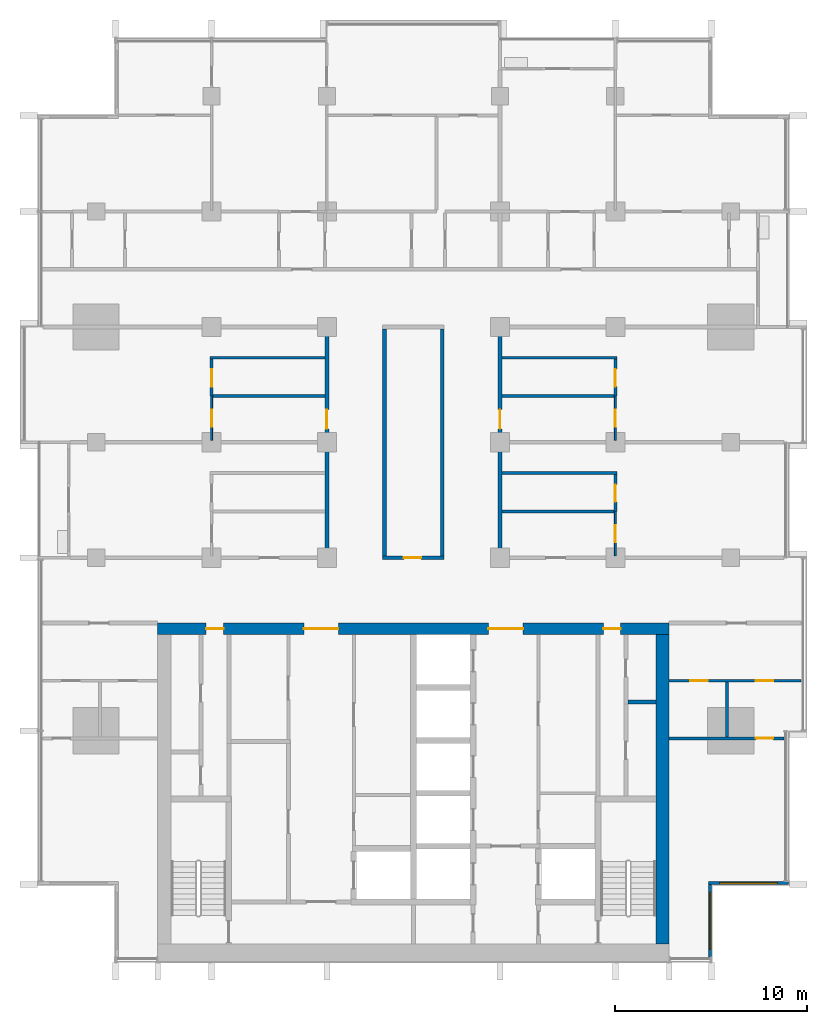
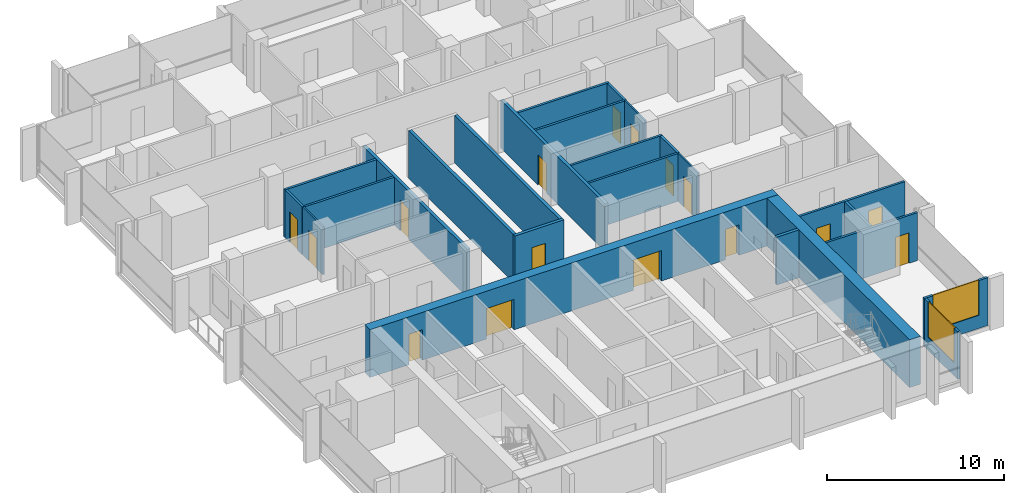
# One storey, part 9 of 16: 25 walls, 16 doors, 2 windows, 18 openings.
"""IFC4 building model written with IfcOpenShell, lengths in metres."""

from ifc_helpers import new_model, si_unit, direction, frame, frame_2d, origin, place, context, subcontext, project, spatial, rectangle, extrude, material, layer, layer_set, type_object, element, fill, save


model = new_model("IFC4")

# Units and contexts
model_context = context("Model", 3, precision=1e-05, world=origin(), true_north=direction((0.0, 1.0)))
body_context = subcontext(model_context, "Body", "Model", "MODEL_VIEW")
ifc_project = project(units=[si_unit("LENGTHUNIT", "METRE"), si_unit("AREAUNIT", "SQUARE_METRE"), si_unit("VOLUMEUNIT", "CUBIC_METRE"), si_unit("PLANEANGLEUNIT", "RADIAN"), si_unit("MASSUNIT", "GRAM", prefix="KILO")], contexts=[model_context])

# Site, building, storey
site_placement = place(None, origin())
site = spatial("IfcSite", under=ifc_project, at=site_placement, CompositionType="ELEMENT")
building_placement = place(site_placement, origin())
building = spatial("IfcBuilding", under=site, at=building_placement, Name="Finial Court Residences", CompositionType="ELEMENT")
storey_placement = place(building_placement, frame((0.0, 0.0, 178.10009765625)))
storey = spatial("IfcBuildingStorey", under=building, at=storey_placement, Name="L44", CompositionType="ELEMENT", Elevation=178.10009765625)

# Wall, openings, doors
ifc_material_1 = material(Name="Concrete C70/85", Category="concrete")
ifc_layer_1 = layer(ifc_material_1, 0.60009765625)
ifc_layer_set_1 = layer_set([ifc_layer_1], Name="Core outer wall 600 Concrete C70/85")
wall_type_1 = type_object("IfcWallType", Name="Core outer wall 600 Concrete C70/85", PredefinedType="SHEAR", material=ifc_layer_set_1)
wall_1_placement = place(storey_placement, frame((-13.300048828125, -8.199951171875, 0.0), z_axis=(0.0, 0.0, 1.0), x_axis=(1.0, 0.0, 0.0)))
wall_1 = element("IfcWall", 1, at=wall_1_placement, inside=storey, type_object=wall_type_1, Name="Core outer wall L44-02", PredefinedType="SHEAR", context=body_context, shape_type="SweptSolid", body=[
    extrude(rectangle(XDim=26.60009765625, YDim=0.60009765625, at=frame_2d((13.300048828125, 0.0))), origin(), (0.0, 0.0, 1.0), 3.2998046875),
])
opening_1_placement = place(wall_1_placement, frame((7.60009765625, 0.0, 0.0)))
opening_1 = element("IfcOpeningElement", 2, at=opening_1_placement, cuts=wall_1, Name="Opening L44-C04", PredefinedType="OPENING", context=body_context, shape_type="SweptSolid", body=[
    extrude(rectangle(XDim=1.800048828125, YDim=2.10009765625, at=frame_2d((0.89990234375, 1.050048828125))), frame((0.0, 0.31005859375, 0.0), z_axis=(0.0, -1.0, 0.0), x_axis=(1.0, 0.0, 0.0)), (0.0, 0.0, 1.0), 0.6201171875),
])
opening_2_placement = place(wall_1_placement, frame((17.199951171875, 0.0, 0.0)))
opening_2 = element("IfcOpeningElement", 3, at=opening_2_placement, cuts=wall_1, Name="Opening L44-C05", PredefinedType="OPENING", context=body_context, shape_type="SweptSolid", body=[
    extrude(rectangle(XDim=1.800048828125, YDim=2.10009765625, at=frame_2d((0.89990234375, 1.050048828125))), frame((0.0, 0.31005859375, 0.0), z_axis=(0.0, -1.0, 0.0), x_axis=(1.0, 0.0, 0.0)), (0.0, 0.0, 1.0), 0.6201171875),
])
opening_3_placement = place(wall_1_placement, frame((2.52490234375, 0.0, 0.0)))
opening_3 = element("IfcOpeningElement", 4, at=opening_3_placement, cuts=wall_1, Name="Opening L44-C10", PredefinedType="OPENING", context=body_context, shape_type="SweptSolid", body=[
    extrude(rectangle(XDim=0.89990234375, YDim=2.10009765625, at=frame_2d((0.449951171875, 1.050048828125))), frame((0.0, 0.31005859375, 0.0), z_axis=(0.0, -1.0, 0.0), x_axis=(1.0, 0.0, 0.0)), (0.0, 0.0, 1.0), 0.6201171875),
])
opening_4_placement = place(wall_1_placement, frame((23.175048828125, 0.0, 0.0)))
opening_4 = element("IfcOpeningElement", 5, at=opening_4_placement, cuts=wall_1, Name="Opening L44-C11", PredefinedType="OPENING", context=body_context, shape_type="SweptSolid", body=[
    extrude(rectangle(XDim=0.89990234375, YDim=2.10009765625, at=frame_2d((0.449951171875, 1.050048828125))), frame((0.0, 0.31005859375, 0.0), z_axis=(0.0, -1.0, 0.0), x_axis=(1.0, 0.0, 0.0)), (0.0, 0.0, 1.0), 0.6201171875),
])
ifc_material_2 = material(Name="Steel fire door", Category="steel")
door_type_1 = type_object("IfcDoorType", Name="Lift lobby door 1800 x 2100 EI 60", OperationType="DOUBLE_DOOR_SINGLE_SWING", PredefinedType="DOOR", material=ifc_material_2)
door_1_placement = place(opening_1_placement, origin())
door_1 = element("IfcDoor", 6, at=door_1_placement, inside=storey, type_object=door_type_1, Name="Lift lobby door L44-C04", OperationType="DOUBLE_DOOR_SINGLE_SWING", OverallHeight=2.10009765625, OverallWidth=1.800048828125, PredefinedType="DOOR", context=body_context, shape_type="SweptSolid", body=[
    extrude(rectangle(XDim=1.800048828125, YDim=2.10009765625, at=frame_2d((0.89990234375, 1.050048828125))), frame((0.0, 0.02490234375, 0.0), z_axis=(0.0, -1.0, 0.0), x_axis=(1.0, 0.0, 0.0)), (0.0, 0.0, 1.0), 0.050048828125),
])
fill(opening_1, door_1)
door_2_placement = place(opening_2_placement, origin())
door_2 = element("IfcDoor", 7, at=door_2_placement, inside=storey, type_object=door_type_1, Name="Lift lobby door L44-C05", OperationType="DOUBLE_DOOR_SINGLE_SWING", OverallHeight=2.10009765625, OverallWidth=1.800048828125, PredefinedType="DOOR", context=body_context, shape_type="SweptSolid", body=[
    extrude(rectangle(XDim=1.800048828125, YDim=2.10009765625, at=frame_2d((0.89990234375, 1.050048828125))), frame((0.0, 0.02490234375, 0.0), z_axis=(0.0, -1.0, 0.0), x_axis=(1.0, 0.0, 0.0)), (0.0, 0.0, 1.0), 0.050048828125),
])
fill(opening_2, door_2)
door_type_2 = type_object("IfcDoorType", Name="Riser room door 900 x 2100 EI 90", OperationType="NOTDEFINED", PredefinedType="DOOR", material=ifc_material_2)
door_3_placement = place(opening_3_placement, origin())
door_3 = element("IfcDoor", 8, at=door_3_placement, inside=storey, type_object=door_type_2, Name="Riser room door L44-C10", OperationType="SINGLE_SWING_RIGHT", OverallHeight=2.10009765625, OverallWidth=0.89990234375, PredefinedType="DOOR", context=body_context, shape_type="SweptSolid", body=[
    extrude(rectangle(XDim=0.89990234375, YDim=2.10009765625, at=frame_2d((0.449951171875, 1.050048828125))), frame((0.0, 0.02490234375, 0.0), z_axis=(0.0, -1.0, 0.0), x_axis=(1.0, 0.0, 0.0)), (0.0, 0.0, 1.0), 0.050048828125),
])
fill(opening_3, door_3)
door_4_placement = place(opening_4_placement, origin())
door_4 = element("IfcDoor", 9, at=door_4_placement, inside=storey, type_object=door_type_2, Name="Riser room door L44-C11", OperationType="SINGLE_SWING_LEFT", OverallHeight=2.10009765625, OverallWidth=0.89990234375, PredefinedType="DOOR", context=body_context, shape_type="SweptSolid", body=[
    extrude(rectangle(XDim=0.89990234375, YDim=2.10009765625, at=frame_2d((0.449951171875, 1.050048828125))), frame((0.0, 0.02490234375, 0.0), z_axis=(0.0, -1.0, 0.0), x_axis=(1.0, 0.0, 0.0)), (0.0, 0.0, 1.0), 0.050048828125),
])
fill(opening_4, door_4)

# Wall
ifc_layer_2 = layer(ifc_material_1, 0.699951171875)
ifc_layer_set_2 = layer_set([ifc_layer_2], Name="Core outer wall 700 Concrete C70/85")
wall_type_2 = type_object("IfcWallType", Name="Core outer wall 700 Concrete C70/85", PredefinedType="SHEAR", material=ifc_layer_set_2)
wall_2_placement = place(storey_placement, frame((12.949951171875, -24.60009765625, 0.0), z_axis=(0.0, 0.0, 1.0), x_axis=(0.0, 1.0, 0.0)))
element("IfcWall", 10, at=wall_2_placement, inside=storey, type_object=wall_type_2, Name="Core outer wall L44-04", PredefinedType="SHEAR", context=body_context, shape_type="SweptSolid", body=[
    extrude(rectangle(XDim=16.10009765625, YDim=0.699951171875, at=frame_2d((8.050048828125, 0.0))), origin(), (0.0, 0.0, 1.0), 3.2998046875),
])

# Wall, opening, door
ifc_material_3 = material(Name="Gypsum board")
ifc_layer_3 = layer(ifc_material_3, 0.02490234375)
ifc_material_4 = material(Name="Acoustic mineral wool in double frame")
ifc_layer_4 = layer(ifc_material_4, 0.14990234375)
ifc_layer_5 = layer(ifc_material_3, 0.02490234375)
ifc_layer_set_3 = layer_set([ifc_layer_3, ifc_layer_4, ifc_layer_5], Name="Corridor wall 200, 1 hour")
wall_type_3 = type_object("IfcWallType", Name="Corridor wall 200, 1 hour", PredefinedType="PARTITIONING", material=ifc_layer_set_3)
wall_3_placement = place(storey_placement, frame((-1.60009765625, -4.5, 0.0), z_axis=(0.0, 0.0, 1.0), x_axis=(1.0, 0.0, 0.0)))
wall_3 = element("IfcWall", 11, at=wall_3_placement, inside=storey, type_object=wall_type_3, Name="Partition L44-007", PredefinedType="PARTITIONING", context=body_context, shape_type="SweptSolid", body=[
    extrude(rectangle(XDim=3.2001953125, YDim=0.199951171875, at=frame_2d((1.60009765625, 0.0))), origin(), (0.0, 0.0, 1.0), 3.2998046875),
])
opening_5_placement = place(wall_3_placement, frame((1.10009765625, 0.0, 0.0)))
opening_5 = element("IfcOpeningElement", 12, at=opening_5_placement, cuts=wall_3, Name="Opening L44-D010", PredefinedType="OPENING", context=body_context, shape_type="SweptSolid", body=[
    extrude(rectangle(XDim=0.89990234375, YDim=2.10009765625, at=frame_2d((0.449951171875, 1.050048828125))), frame((0.0, 0.10986328125, 0.0), z_axis=(0.0, -1.0, 0.0), x_axis=(1.0, 0.0, 0.0)), (0.0, 0.0, 1.0), 0.219970703125),
])
ifc_material_5 = material(Name="Timber door leaf in hollow metal frame", Category="wood")
door_type_3 = type_object("IfcDoorType", Name="Fire door set 900 x 2100, 30 minutes", OperationType="SINGLE_SWING_LEFT", PredefinedType="DOOR", material=ifc_material_5)
door_5_placement = place(opening_5_placement, origin())
door_5 = element("IfcDoor", 13, at=door_5_placement, inside=storey, type_object=door_type_3, Name="Door L44-D010", OperationType="SINGLE_SWING_RIGHT", OverallHeight=2.10009765625, OverallWidth=0.89990234375, PredefinedType="DOOR", context=body_context, shape_type="SweptSolid", body=[
    extrude(rectangle(XDim=0.89990234375, YDim=2.10009765625, at=frame_2d((0.449951171875, 1.050048828125))), frame((0.0, 0.02490234375, 0.0), z_axis=(0.0, -1.0, 0.0), x_axis=(1.0, 0.0, 0.0)), (0.0, 0.0, 1.0), 0.050048828125),
])
fill(opening_5, door_5)

wall_4_placement = place(storey_placement, frame((-4.5, -4.39990234375, 0.0), z_axis=(0.0, 0.0, 1.0), x_axis=(0.0, 1.0, 0.0)))
wall_4 = element("IfcWall", 14, at=wall_4_placement, inside=storey, type_object=wall_type_3, Name="Partition L44-044", PredefinedType="PARTITIONING", context=body_context, shape_type="SweptSolid", body=[
    extrude(rectangle(XDim=11.7998046875, YDim=0.199951171875, at=frame_2d((5.89990234375, 0.0))), origin(), (0.0, 0.0, 1.0), 3.2998046875),
])
opening_6_placement = place(wall_4_placement, frame((6.60009765625, 0.0, 0.0)))
opening_6 = element("IfcOpeningElement", 15, at=opening_6_placement, cuts=wall_4, Name="Opening L44-D030", PredefinedType="OPENING", context=body_context, shape_type="SweptSolid", body=[
    extrude(rectangle(XDim=1.0, YDim=2.10009765625, at=frame_2d((0.5, 1.050048828125))), frame((0.0, 0.10986328125, 0.0), z_axis=(0.0, -1.0, 0.0), x_axis=(1.0, 0.0, 0.0)), (0.0, 0.0, 1.0), 0.219970703125),
])
door_type_4 = type_object("IfcDoorType", Name="Fire door set 1000 x 2100, 30 minutes", OperationType="SINGLE_SWING_LEFT", PredefinedType="DOOR", material=ifc_material_5)
door_6_placement = place(opening_6_placement, origin())
door_6 = element("IfcDoor", 16, at=door_6_placement, inside=storey, type_object=door_type_4, Name="Door L44-D030", OperationType="SINGLE_SWING_LEFT", OverallHeight=2.10009765625, OverallWidth=1.0, PredefinedType="DOOR", context=body_context, shape_type="SweptSolid", body=[
    extrude(rectangle(XDim=1.0, YDim=2.10009765625, at=frame_2d((0.5, 1.050048828125))), frame((0.0, 0.02490234375, 0.0), z_axis=(0.0, -1.0, 0.0), x_axis=(1.0, 0.0, 0.0)), (0.0, 0.0, 1.0), 0.050048828125),
])
fill(opening_6, door_6)

# Walls
for number, where, z_axis, x_axis, name in (
    (17, (-1.5, -4.39990234375, 0.0), (0.0, 0.0, 1.0), (0.0, 1.0, 0.0), "Partition L44-046"),
    (18, (1.5, -4.39990234375, 0.0), (0.0, 0.0, 1.0), (0.0, 1.0, 0.0), "Partition L44-049"),
):
    element("IfcWall", number, at=place(storey_placement, frame(where, z_axis=z_axis, x_axis=x_axis)), inside=storey, type_object=wall_type_3, Name=name, PredefinedType="PARTITIONING", context=body_context, shape_type="SweptSolid", body=[
        extrude(rectangle(XDim=11.7998046875, YDim=0.199951171875, at=frame_2d((5.89990234375, 0.0))), origin(), (0.0, 0.0, 1.0), 3.2998046875),
    ])

# Wall, opening, door
wall_5_placement = place(storey_placement, frame((4.5, -4.39990234375, 0.0), z_axis=(0.0, 0.0, 1.0), x_axis=(0.0, 1.0, 0.0)))
wall_5 = element("IfcWall", 19, at=wall_5_placement, inside=storey, type_object=wall_type_3, Name="Partition L44-051", PredefinedType="PARTITIONING", context=body_context, shape_type="SweptSolid", body=[
    extrude(rectangle(XDim=11.7998046875, YDim=0.199951171875, at=frame_2d((5.89990234375, 0.0))), origin(), (0.0, 0.0, 1.0), 3.2998046875),
])
opening_7_placement = place(wall_5_placement, frame((6.60009765625, 0.0, 0.0)))
opening_7 = element("IfcOpeningElement", 20, at=opening_7_placement, cuts=wall_5, Name="Opening L44-D034", PredefinedType="OPENING", context=body_context, shape_type="SweptSolid", body=[
    extrude(rectangle(XDim=1.0, YDim=2.10009765625, at=frame_2d((0.5, 1.050048828125))), frame((0.0, 0.10986328125, 0.0), z_axis=(0.0, -1.0, 0.0), x_axis=(1.0, 0.0, 0.0)), (0.0, 0.0, 1.0), 0.219970703125),
])
door_7_placement = place(opening_7_placement, origin())
door_7 = element("IfcDoor", 21, at=door_7_placement, inside=storey, type_object=door_type_4, Name="Door L44-D034", OperationType="SINGLE_SWING_RIGHT", OverallHeight=2.10009765625, OverallWidth=1.0, PredefinedType="DOOR", context=body_context, shape_type="SweptSolid", body=[
    extrude(rectangle(XDim=1.0, YDim=2.10009765625, at=frame_2d((0.5, 1.050048828125))), frame((0.0, 0.02490234375, 0.0), z_axis=(0.0, -1.0, 0.0), x_axis=(1.0, 0.0, 0.0)), (0.0, 0.0, 1.0), 0.050048828125),
])
fill(opening_7, door_7)

ifc_layer_6 = layer(ifc_material_3, 0.012451171875)
ifc_material_6 = material(Name="Mineral wool in light-gauge frame")
ifc_layer_7 = layer(ifc_material_6, 0.074951171875)
ifc_layer_8 = layer(ifc_material_3, 0.012451171875)
ifc_layer_set_4 = layer_set([ifc_layer_6, ifc_layer_7, ifc_layer_8], Name="Gypsum board partition 100")
wall_type_4 = type_object("IfcWallType", Name="Gypsum board partition 100", PredefinedType="PARTITIONING", material=ifc_layer_set_4)
wall_6_placement = place(storey_placement, frame((-10.5, 1.60009765625, 0.0), z_axis=(0.0, 0.0, 1.0), x_axis=(0.0, 1.0, 0.0)))
wall_6 = element("IfcWall", 22, at=wall_6_placement, inside=storey, type_object=wall_type_4, Name="Partition L44-038", PredefinedType="PARTITIONING", context=body_context, shape_type="SweptSolid", body=[
    extrude(rectangle(XDim=2.2998046875, YDim=0.10009765625, at=frame_2d((1.14990234375, 0.0))), origin(), (0.0, 0.0, 1.0), 3.2998046875),
])
opening_8_placement = place(wall_6_placement, frame((0.699951171875, 0.0, 0.0)))
opening_8 = element("IfcOpeningElement", 23, at=opening_8_placement, cuts=wall_6, Name="Opening L44-D024", PredefinedType="OPENING", context=body_context, shape_type="SweptSolid", body=[
    extrude(rectangle(XDim=0.89990234375, YDim=2.10009765625, at=frame_2d((0.449951171875, 1.050048828125))), frame((0.0, 0.06005859375, 0.0), z_axis=(0.0, -1.0, 0.0), x_axis=(1.0, 0.0, 0.0)), (0.0, 0.0, 1.0), 0.1201171875),
])
ifc_material_7 = material(Name="Timber door leaf in timber frame", Category="wood")
door_type_5 = type_object("IfcDoorType", Name="Door set 900 x 2100", OperationType="SINGLE_SWING_LEFT", PredefinedType="DOOR", material=ifc_material_7)
door_8_placement = place(opening_8_placement, origin())
door_8 = element("IfcDoor", 24, at=door_8_placement, inside=storey, type_object=door_type_5, Name="Door L44-D024", OperationType="SINGLE_SWING_RIGHT", OverallHeight=2.10009765625, OverallWidth=0.89990234375, PredefinedType="DOOR", context=body_context, shape_type="SweptSolid", body=[
    extrude(rectangle(XDim=0.89990234375, YDim=2.10009765625, at=frame_2d((0.449951171875, 1.050048828125))), frame((0.0, 0.02490234375, 0.0), z_axis=(0.0, -1.0, 0.0), x_axis=(1.0, 0.0, 0.0)), (0.0, 0.0, 1.0), 0.050048828125),
])
fill(opening_8, door_8)

wall_7_placement = place(storey_placement, frame((10.5, -4.39990234375, 0.0), z_axis=(0.0, 0.0, 1.0), x_axis=(0.0, 1.0, 0.0)))
wall_7 = element("IfcWall", 25, at=wall_7_placement, inside=storey, type_object=wall_type_4, Name="Partition L44-056", PredefinedType="PARTITIONING", context=body_context, shape_type="SweptSolid", body=[
    extrude(rectangle(XDim=2.2998046875, YDim=0.10009765625, at=frame_2d((1.14990234375, 0.0))), origin(), (0.0, 0.0, 1.0), 3.2998046875),
])
opening_9_placement = place(wall_7_placement, frame((0.699951171875, 0.0, 0.0)))
opening_9 = element("IfcOpeningElement", 26, at=opening_9_placement, cuts=wall_7, Name="Opening L44-D037", PredefinedType="OPENING", context=body_context, shape_type="SweptSolid", body=[
    extrude(rectangle(XDim=0.89990234375, YDim=2.10009765625, at=frame_2d((0.449951171875, 1.050048828125))), frame((0.0, 0.06005859375, 0.0), z_axis=(0.0, -1.0, 0.0), x_axis=(1.0, 0.0, 0.0)), (0.0, 0.0, 1.0), 0.1201171875),
])
door_9_placement = place(opening_9_placement, origin())
door_9 = element("IfcDoor", 27, at=door_9_placement, inside=storey, type_object=door_type_5, Name="Door L44-D037", OperationType="SINGLE_SWING_RIGHT", OverallHeight=2.10009765625, OverallWidth=0.89990234375, PredefinedType="DOOR", context=body_context, shape_type="SweptSolid", body=[
    extrude(rectangle(XDim=0.89990234375, YDim=2.10009765625, at=frame_2d((0.449951171875, 1.050048828125))), frame((0.0, 0.02490234375, 0.0), z_axis=(0.0, -1.0, 0.0), x_axis=(1.0, 0.0, 0.0)), (0.0, 0.0, 1.0), 0.050048828125),
])
fill(opening_9, door_9)

wall_8_placement = place(storey_placement, frame((10.5, 1.60009765625, 0.0), z_axis=(0.0, 0.0, 1.0), x_axis=(0.0, 1.0, 0.0)))
wall_8 = element("IfcWall", 28, at=wall_8_placement, inside=storey, type_object=wall_type_4, Name="Partition L44-057", PredefinedType="PARTITIONING", context=body_context, shape_type="SweptSolid", body=[
    extrude(rectangle(XDim=2.2998046875, YDim=0.10009765625, at=frame_2d((1.14990234375, 0.0))), origin(), (0.0, 0.0, 1.0), 3.2998046875),
])
opening_10_placement = place(wall_8_placement, frame((0.699951171875, 0.0, 0.0)))
opening_10 = element("IfcOpeningElement", 29, at=opening_10_placement, cuts=wall_8, Name="Opening L44-D038", PredefinedType="OPENING", context=body_context, shape_type="SweptSolid", body=[
    extrude(rectangle(XDim=0.89990234375, YDim=2.10009765625, at=frame_2d((0.449951171875, 1.050048828125))), frame((0.0, 0.06005859375, 0.0), z_axis=(0.0, -1.0, 0.0), x_axis=(1.0, 0.0, 0.0)), (0.0, 0.0, 1.0), 0.1201171875),
])
door_10_placement = place(opening_10_placement, origin())
door_10 = element("IfcDoor", 30, at=door_10_placement, inside=storey, type_object=door_type_5, Name="Door L44-D038", OperationType="SINGLE_SWING_RIGHT", OverallHeight=2.10009765625, OverallWidth=0.89990234375, PredefinedType="DOOR", context=body_context, shape_type="SweptSolid", body=[
    extrude(rectangle(XDim=0.89990234375, YDim=2.10009765625, at=frame_2d((0.449951171875, 1.050048828125))), frame((0.0, 0.02490234375, 0.0), z_axis=(0.0, -1.0, 0.0), x_axis=(1.0, 0.0, 0.0)), (0.0, 0.0, 1.0), 0.050048828125),
])
fill(opening_10, door_10)

ifc_material_8 = material(Name="Moisture-resistant gypsum board")
ifc_layer_9 = layer(ifc_material_8, 0.012451171875)
ifc_layer_10 = layer(ifc_material_6, 0.125)
ifc_layer_11 = layer(ifc_material_8, 0.012451171875)
ifc_layer_set_5 = layer_set([ifc_layer_9, ifc_layer_10, ifc_layer_11], Name="Gypsum board wet-area partition 150")
wall_type_5 = type_object("IfcWallType", Name="Gypsum board wet-area partition 150", PredefinedType="PARTITIONING", material=ifc_layer_set_5)
wall_9_placement = place(storey_placement, frame((13.300048828125, -13.89990234375, 0.0), z_axis=(0.0, 0.0, 1.0), x_axis=(1.0, 0.0, 0.0)))
wall_9 = element("IfcWall", 31, at=wall_9_placement, inside=storey, type_object=wall_type_5, Name="Partition L44-001", PredefinedType="PARTITIONING", context=body_context, shape_type="SweptSolid", body=[
    extrude(rectangle(XDim=5.96240234375, YDim=0.14990234375, at=frame_2d((2.981201171875, 0.0))), origin(), (0.0, 0.0, 1.0), 3.2998046875),
])
opening_11_placement = place(wall_9_placement, frame((4.5, 0.0, 0.0)))
opening_11 = element("IfcOpeningElement", 32, at=opening_11_placement, cuts=wall_9, Name="Opening L44-D002", PredefinedType="OPENING", context=body_context, shape_type="SweptSolid", body=[
    extrude(rectangle(XDim=0.89990234375, YDim=2.10009765625, at=frame_2d((0.449951171875, 1.050048828125))), frame((0.0, 0.0849609375, 0.0), z_axis=(0.0, -1.0, 0.0), x_axis=(1.0, 0.0, 0.0)), (0.0, 0.0, 1.0), 0.169921875),
])
door_11_placement = place(opening_11_placement, origin())
door_11 = element("IfcDoor", 33, at=door_11_placement, inside=storey, type_object=door_type_5, Name="Door L44-D002", OperationType="SINGLE_SWING_RIGHT", OverallHeight=2.10009765625, OverallWidth=0.89990234375, PredefinedType="DOOR", context=body_context, shape_type="SweptSolid", body=[
    extrude(rectangle(XDim=0.89990234375, YDim=2.10009765625, at=frame_2d((0.449951171875, 1.050048828125))), frame((0.0, 0.02490234375, 0.0), z_axis=(0.0, -1.0, 0.0), x_axis=(1.0, 0.0, 0.0)), (0.0, 0.0, 1.0), 0.050048828125),
])
fill(opening_11, door_11)

# Wall, openings, doors
wall_10_placement = place(storey_placement, frame((13.300048828125, -10.89990234375, 0.0), z_axis=(0.0, 0.0, 1.0), x_axis=(1.0, 0.0, 0.0)))
wall_10 = element("IfcWall", 34, at=wall_10_placement, inside=storey, type_object=wall_type_5, Name="Partition L44-003", PredefinedType="PARTITIONING", context=body_context, shape_type="SweptSolid", body=[
    extrude(rectangle(XDim=6.862548828125, YDim=0.14990234375, at=frame_2d((3.43115234375, 0.0))), origin(), (0.0, 0.0, 1.0), 3.2998046875),
])
opening_12_placement = place(wall_10_placement, frame((1.10009765625, 0.0, 0.0)))
opening_12 = element("IfcOpeningElement", 35, at=opening_12_placement, cuts=wall_10, Name="Opening L44-D005", PredefinedType="OPENING", context=body_context, shape_type="SweptSolid", body=[
    extrude(rectangle(XDim=0.89990234375, YDim=2.10009765625, at=frame_2d((0.449951171875, 1.050048828125))), frame((0.0, 0.0849609375, 0.0), z_axis=(0.0, -1.0, 0.0), x_axis=(1.0, 0.0, 0.0)), (0.0, 0.0, 1.0), 0.169921875),
])
opening_13_placement = place(wall_10_placement, frame((4.5, 0.0, 0.0)))
opening_13 = element("IfcOpeningElement", 36, at=opening_13_placement, cuts=wall_10, Name="Opening L44-D006", PredefinedType="OPENING", context=body_context, shape_type="SweptSolid", body=[
    extrude(rectangle(XDim=0.89990234375, YDim=2.10009765625, at=frame_2d((0.449951171875, 1.050048828125))), frame((0.0, 0.0849609375, 0.0), z_axis=(0.0, -1.0, 0.0), x_axis=(1.0, 0.0, 0.0)), (0.0, 0.0, 1.0), 0.169921875),
])
door_12_placement = place(opening_12_placement, origin())
door_12 = element("IfcDoor", 37, at=door_12_placement, inside=storey, type_object=door_type_5, Name="Door L44-D005", OperationType="SINGLE_SWING_LEFT", OverallHeight=2.10009765625, OverallWidth=0.89990234375, PredefinedType="DOOR", context=body_context, shape_type="SweptSolid", body=[
    extrude(rectangle(XDim=0.89990234375, YDim=2.10009765625, at=frame_2d((0.449951171875, 1.050048828125))), frame((0.0, 0.02490234375, 0.0), z_axis=(0.0, -1.0, 0.0), x_axis=(1.0, 0.0, 0.0)), (0.0, 0.0, 1.0), 0.050048828125),
])
fill(opening_12, door_12)
door_13_placement = place(opening_13_placement, origin())
door_13 = element("IfcDoor", 38, at=door_13_placement, inside=storey, type_object=door_type_5, Name="Door L44-D006", OperationType="SINGLE_SWING_RIGHT", OverallHeight=2.10009765625, OverallWidth=0.89990234375, PredefinedType="DOOR", context=body_context, shape_type="SweptSolid", body=[
    extrude(rectangle(XDim=0.89990234375, YDim=2.10009765625, at=frame_2d((0.449951171875, 1.050048828125))), frame((0.0, 0.02490234375, 0.0), z_axis=(0.0, -1.0, 0.0), x_axis=(1.0, 0.0, 0.0)), (0.0, 0.0, 1.0), 0.050048828125),
])
fill(opening_13, door_13)

# Walls
wall_11_placement = place(storey_placement, frame((4.60009765625, -2.10009765625, 0.0), z_axis=(0.0, 0.0, 1.0), x_axis=(1.0, 0.0, 0.0)))
element("IfcWall", 39, at=wall_11_placement, inside=storey, type_object=wall_type_5, Name="Partition L44-010", PredefinedType="PARTITIONING", context=body_context, shape_type="SweptSolid", body=[
    extrude(rectangle(XDim=5.824951171875, YDim=0.14990234375, at=frame_2d((2.91259765625, 0.0))), origin(), (0.0, 0.0, 1.0), 3.2998046875),
])
wall_12_placement = place(storey_placement, frame((4.60009765625, -0.10009765625, 0.0), z_axis=(0.0, 0.0, 1.0), x_axis=(1.0, 0.0, 0.0)))
element("IfcWall", 40, at=wall_12_placement, inside=storey, type_object=wall_type_5, Name="Partition L44-012", PredefinedType="PARTITIONING", context=body_context, shape_type="SweptSolid", body=[
    extrude(rectangle(XDim=5.974853515625, YDim=0.14990234375, at=frame_2d((2.9873046875, 0.0))), origin(), (0.0, 0.0, 1.0), 3.2998046875),
])
for number, where, z_axis, x_axis, name in (
    (41, (-10.425048828125, 3.89990234375, 0.0), (0.0, 0.0, 1.0), (1.0, 0.0, 0.0), "Partition L44-015"),
    (42, (4.60009765625, 3.89990234375, 0.0), (0.0, 0.0, 1.0), (1.0, 0.0, 0.0), "Partition L44-016"),
):
    element("IfcWall", number, at=place(storey_placement, frame(where, z_axis=z_axis, x_axis=x_axis)), inside=storey, type_object=wall_type_5, Name=name, PredefinedType="PARTITIONING", context=body_context, shape_type="SweptSolid", body=[
        extrude(rectangle(XDim=5.824951171875, YDim=0.14990234375, at=frame_2d((2.91259765625, 0.0))), origin(), (0.0, 0.0, 1.0), 3.2998046875),
    ])
for number, where, z_axis, x_axis, name in (
    (43, (-10.574951171875, 5.89990234375, 0.0), (0.0, 0.0, 1.0), (1.0, 0.0, 0.0), "Partition L44-017"),
    (44, (4.60009765625, 5.89990234375, 0.0), (0.0, 0.0, 1.0), (1.0, 0.0, 0.0), "Partition L44-018"),
):
    element("IfcWall", number, at=place(storey_placement, frame(where, z_axis=z_axis, x_axis=x_axis)), inside=storey, type_object=wall_type_5, Name=name, PredefinedType="PARTITIONING", context=body_context, shape_type="SweptSolid", body=[
        extrude(rectangle(XDim=5.974853515625, YDim=0.14990234375, at=frame_2d((2.9873046875, 0.0))), origin(), (0.0, 0.0, 1.0), 3.2998046875),
    ])

# Wall, opening, door
wall_13_placement = place(storey_placement, frame((-10.5, 3.89990234375, 0.0), z_axis=(0.0, 0.0, 1.0), x_axis=(0.0, 1.0, 0.0)))
wall_13 = element("IfcWall", 45, at=wall_13_placement, inside=storey, type_object=wall_type_5, Name="Partition L44-041", PredefinedType="PARTITIONING", context=body_context, shape_type="SweptSolid", body=[
    extrude(rectangle(XDim=1.925048828125, YDim=0.14990234375, at=frame_2d((0.96240234375, 0.0))), origin(), (0.0, 0.0, 1.0), 3.2998046875),
])
opening_14_placement = place(wall_13_placement, frame((0.5, 0.0, 0.0)))
opening_14 = element("IfcOpeningElement", 46, at=opening_14_placement, cuts=wall_13, Name="Opening L44-D027", PredefinedType="OPENING", context=body_context, shape_type="SweptSolid", body=[
    extrude(rectangle(XDim=0.89990234375, YDim=2.10009765625, at=frame_2d((0.449951171875, 1.050048828125))), frame((0.0, 0.0849609375, 0.0), z_axis=(0.0, -1.0, 0.0), x_axis=(1.0, 0.0, 0.0)), (0.0, 0.0, 1.0), 0.169921875),
])
door_14_placement = place(opening_14_placement, origin())
door_14 = element("IfcDoor", 47, at=door_14_placement, inside=storey, type_object=door_type_5, Name="Door L44-D027", OperationType="SINGLE_SWING_RIGHT", OverallHeight=2.10009765625, OverallWidth=0.89990234375, PredefinedType="DOOR", context=body_context, shape_type="SweptSolid", body=[
    extrude(rectangle(XDim=0.89990234375, YDim=2.10009765625, at=frame_2d((0.449951171875, 1.050048828125))), frame((0.0, 0.02490234375, 0.0), z_axis=(0.0, -1.0, 0.0), x_axis=(1.0, 0.0, 0.0)), (0.0, 0.0, 1.0), 0.050048828125),
])
fill(opening_14, door_14)

wall_14_placement = place(storey_placement, frame((10.5, -2.10009765625, 0.0), z_axis=(0.0, 0.0, 1.0), x_axis=(0.0, 1.0, 0.0)))
wall_14 = element("IfcWall", 48, at=wall_14_placement, inside=storey, type_object=wall_type_5, Name="Partition L44-059", PredefinedType="PARTITIONING", context=body_context, shape_type="SweptSolid", body=[
    extrude(rectangle(XDim=1.925048828125, YDim=0.14990234375, at=frame_2d((0.96240234375, 0.0))), origin(), (0.0, 0.0, 1.0), 3.2998046875),
])
opening_15_placement = place(wall_14_placement, frame((0.5, 0.0, 0.0)))
opening_15 = element("IfcOpeningElement", 49, at=opening_15_placement, cuts=wall_14, Name="Opening L44-D039", PredefinedType="OPENING", context=body_context, shape_type="SweptSolid", body=[
    extrude(rectangle(XDim=0.89990234375, YDim=2.10009765625, at=frame_2d((0.449951171875, 1.050048828125))), frame((0.0, 0.0849609375, 0.0), z_axis=(0.0, -1.0, 0.0), x_axis=(1.0, 0.0, 0.0)), (0.0, 0.0, 1.0), 0.169921875),
])
door_15_placement = place(opening_15_placement, origin())
door_15 = element("IfcDoor", 50, at=door_15_placement, inside=storey, type_object=door_type_5, Name="Door L44-D039", OperationType="SINGLE_SWING_LEFT", OverallHeight=2.10009765625, OverallWidth=0.89990234375, PredefinedType="DOOR", context=body_context, shape_type="SweptSolid", body=[
    extrude(rectangle(XDim=0.89990234375, YDim=2.10009765625, at=frame_2d((0.449951171875, 1.050048828125))), frame((0.0, 0.02490234375, 0.0), z_axis=(0.0, -1.0, 0.0), x_axis=(1.0, 0.0, 0.0)), (0.0, 0.0, 1.0), 0.050048828125),
])
fill(opening_15, door_15)

wall_15_placement = place(storey_placement, frame((10.5, 3.89990234375, 0.0), z_axis=(0.0, 0.0, 1.0), x_axis=(0.0, 1.0, 0.0)))
wall_15 = element("IfcWall", 51, at=wall_15_placement, inside=storey, type_object=wall_type_5, Name="Partition L44-060", PredefinedType="PARTITIONING", context=body_context, shape_type="SweptSolid", body=[
    extrude(rectangle(XDim=1.925048828125, YDim=0.14990234375, at=frame_2d((0.96240234375, 0.0))), origin(), (0.0, 0.0, 1.0), 3.2998046875),
])
opening_16_placement = place(wall_15_placement, frame((0.5, 0.0, 0.0)))
opening_16 = element("IfcOpeningElement", 52, at=opening_16_placement, cuts=wall_15, Name="Opening L44-D040", PredefinedType="OPENING", context=body_context, shape_type="SweptSolid", body=[
    extrude(rectangle(XDim=0.89990234375, YDim=2.10009765625, at=frame_2d((0.449951171875, 1.050048828125))), frame((0.0, 0.0849609375, 0.0), z_axis=(0.0, -1.0, 0.0), x_axis=(1.0, 0.0, 0.0)), (0.0, 0.0, 1.0), 0.169921875),
])
door_16_placement = place(opening_16_placement, origin())
door_16 = element("IfcDoor", 53, at=door_16_placement, inside=storey, type_object=door_type_5, Name="Door L44-D040", OperationType="SINGLE_SWING_RIGHT", OverallHeight=2.10009765625, OverallWidth=0.89990234375, PredefinedType="DOOR", context=body_context, shape_type="SweptSolid", body=[
    extrude(rectangle(XDim=0.89990234375, YDim=2.10009765625, at=frame_2d((0.449951171875, 1.050048828125))), frame((0.0, 0.02490234375, 0.0), z_axis=(0.0, -1.0, 0.0), x_axis=(1.0, 0.0, 0.0)), (0.0, 0.0, 1.0), 0.050048828125),
])
fill(opening_16, door_16)

# Wall
wall_16_placement = place(storey_placement, frame((16.300048828125, -13.824951171875, 0.0), z_axis=(0.0, 0.0, 1.0), x_axis=(0.0, 1.0, 0.0)))
element("IfcWall", 54, at=wall_16_placement, inside=storey, type_object=wall_type_5, Name="Partition L44-061", PredefinedType="PARTITIONING", context=body_context, shape_type="SweptSolid", body=[
    extrude(rectangle(XDim=2.849853515625, YDim=0.14990234375, at=frame_2d((1.4248046875, 0.0))), origin(), (0.0, 0.0, 1.0), 3.2998046875),
])

# Wall, opening, window
ifc_material_9 = material(Name="Natural limestone", Category="masonry")
ifc_layer_12 = layer(ifc_material_9, 0.14990234375)
ifc_layer_set_6 = layer_set([ifc_layer_12], Name="Limestone clad wall 150")
wall_type_6 = type_object("IfcWallType", Name="Limestone clad wall 150", PredefinedType="SOLIDWALL", material=ifc_layer_set_6)
wall_17_placement = place(storey_placement, frame((15.425048828125, -21.5, 0.0), z_axis=(0.0, 0.0, 1.0), x_axis=(0.0, -1.0, 0.0)))
wall_17 = element("IfcWall", 55, at=wall_17_placement, inside=storey, type_object=wall_type_6, Name="E-L44-NWE16", PredefinedType="SOLIDWALL", context=body_context, shape_type="SweptSolid", body=[
    extrude(rectangle(XDim=3.762451171875, YDim=0.14990234375, at=frame_2d((1.88134765625, 0.0))), origin(), (0.0, 0.0, 1.0), 3.2998046875),
])
opening_17_placement = place(wall_17_placement, frame((0.4013671875, 0.0, 0.89990234375)))
opening_17 = element("IfcOpeningElement", 56, at=opening_17_placement, cuts=wall_17, Name="Opening WE44-03", PredefinedType="OPENING", context=body_context, shape_type="SweptSolid", body=[
    extrude(rectangle(XDim=2.9599609375, YDim=2.39990234375, at=frame_2d((1.47998046875, 1.199951171875))), frame((0.0, 0.0849609375, 0.0), z_axis=(0.0, -1.0, 0.0), x_axis=(1.0, 0.0, 0.0)), (0.0, 0.0, 1.0), 0.169921875),
])
ifc_material_10 = material(Name="Clear low-e glass", Category="glass")
window_type_1 = type_object("IfcWindowType", Name="Corner window 2960 x 2400", PartitioningType="SINGLE_PANEL", PredefinedType="WINDOW", material=ifc_material_10)
window_1_placement = place(opening_17_placement, origin())
window_1 = element("IfcWindow", 57, at=window_1_placement, inside=storey, type_object=window_type_1, Name="E-L44-NWE16-W1", OverallHeight=2.39990234375, OverallWidth=2.9599609375, PartitioningType="SINGLE_PANEL", PredefinedType="WINDOW", context=body_context, shape_type="SweptSolid", body=[
    extrude(rectangle(XDim=2.9599609375, YDim=2.39990234375, at=frame_2d((1.47998046875, 1.199951171875))), frame((0.0, 0.030029296875, 0.0), z_axis=(0.0, -1.0, 0.0), x_axis=(1.0, 0.0, 0.0)), (0.0, 0.0, 1.0), 0.06005859375),
])
fill(opening_17, window_1)

wall_18_placement = place(storey_placement, frame((19.5, -21.425048828125, 0.0), z_axis=(0.0, 0.0, 1.0), x_axis=(-1.0, 0.0, 0.0)))
wall_18 = element("IfcWall", 58, at=wall_18_placement, inside=storey, type_object=wall_type_6, Name="E-L44-NWS17", PredefinedType="SOLIDWALL", context=body_context, shape_type="SweptSolid", body=[
    extrude(rectangle(XDim=4.14990234375, YDim=0.14990234375, at=frame_2d((2.074951171875, 0.0))), origin(), (0.0, 0.0, 1.0), 3.2998046875),
])
opening_18_placement = place(wall_18_placement, frame((0.574951171875, 0.0, 0.89990234375)))
opening_18 = element("IfcOpeningElement", 59, at=opening_18_placement, cuts=wall_18, Name="Opening WE44-04", PredefinedType="OPENING", context=body_context, shape_type="SweptSolid", body=[
    extrude(rectangle(XDim=3.0, YDim=2.39990234375, at=frame_2d((1.5, 1.199951171875))), frame((0.0, 0.0849609375, 0.0), z_axis=(0.0, -1.0, 0.0), x_axis=(1.0, 0.0, 0.0)), (0.0, 0.0, 1.0), 0.169921875),
])
window_type_2 = type_object("IfcWindowType", Name="Corner window 3000 x 2400", PartitioningType="SINGLE_PANEL", PredefinedType="WINDOW", material=ifc_material_10)
window_2_placement = place(opening_18_placement, origin())
window_2 = element("IfcWindow", 60, at=window_2_placement, inside=storey, type_object=window_type_2, Name="E-L44-NWS17-W1", OverallHeight=2.39990234375, OverallWidth=3.0, PartitioningType="SINGLE_PANEL", PredefinedType="WINDOW", context=body_context, shape_type="SweptSolid", body=[
    extrude(rectangle(XDim=3.0, YDim=2.39990234375, at=frame_2d((1.5, 1.199951171875))), frame((0.0, 0.030029296875, 0.0), z_axis=(0.0, -1.0, 0.0), x_axis=(1.0, 0.0, 0.0)), (0.0, 0.0, 1.0), 0.06005859375),
])
fill(opening_18, window_2)

# Wall
ifc_material_11 = material(Name="Fire-rated gypsum board partition")
ifc_layer_13 = layer(ifc_material_11, 0.199951171875)
ifc_layer_set_7 = layer_set([ifc_layer_13], Name="Riser room wall 200 EI 120")
wall_type_7 = type_object("IfcWallType", Name="Riser room wall 200 EI 120", PredefinedType="PARTITIONING", material=ifc_layer_set_7)
wall_19_placement = place(storey_placement, frame((11.14990234375, -12.0, 0.0), z_axis=(0.0, 0.0, 1.0), x_axis=(1.0, 0.0, 0.0)))
element("IfcWall", 61, at=wall_19_placement, inside=storey, type_object=wall_type_7, Name="Core partition L44-17", PredefinedType="PARTITIONING", context=body_context, shape_type="SweptSolid", body=[
    extrude(rectangle(XDim=1.4501953125, YDim=0.199951171875, at=frame_2d((0.72509765625, 0.0))), origin(), (0.0, 0.0, 1.0), 3.2998046875),
])

save(model, "model.ifc")
